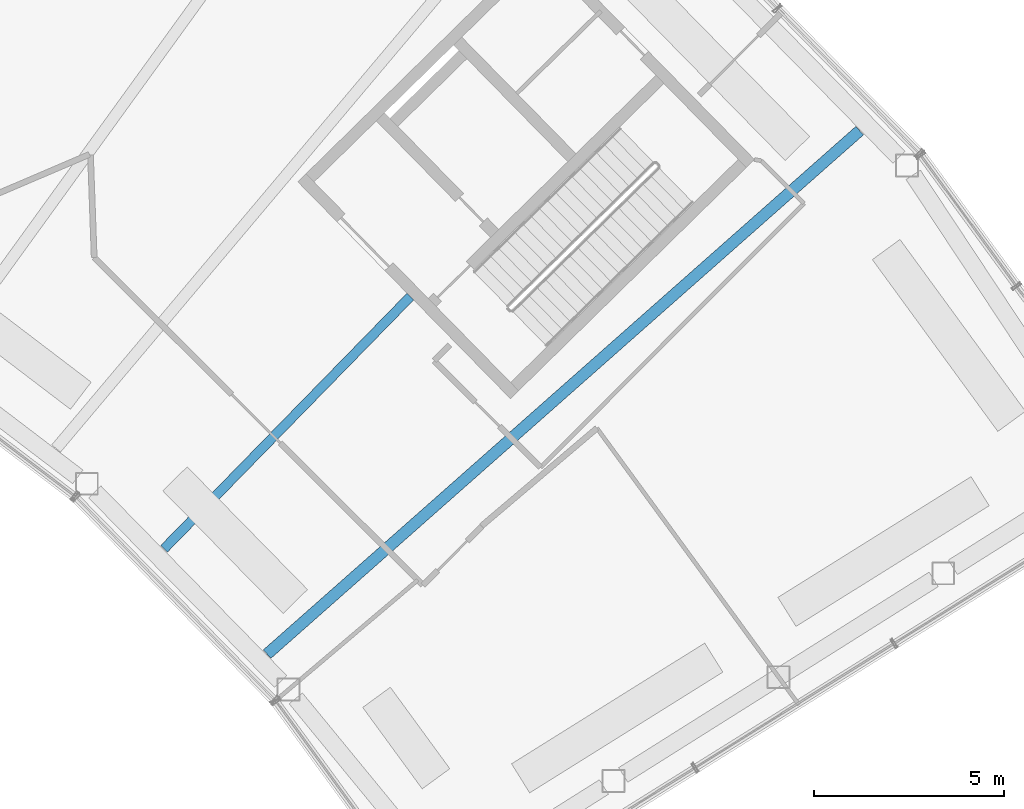
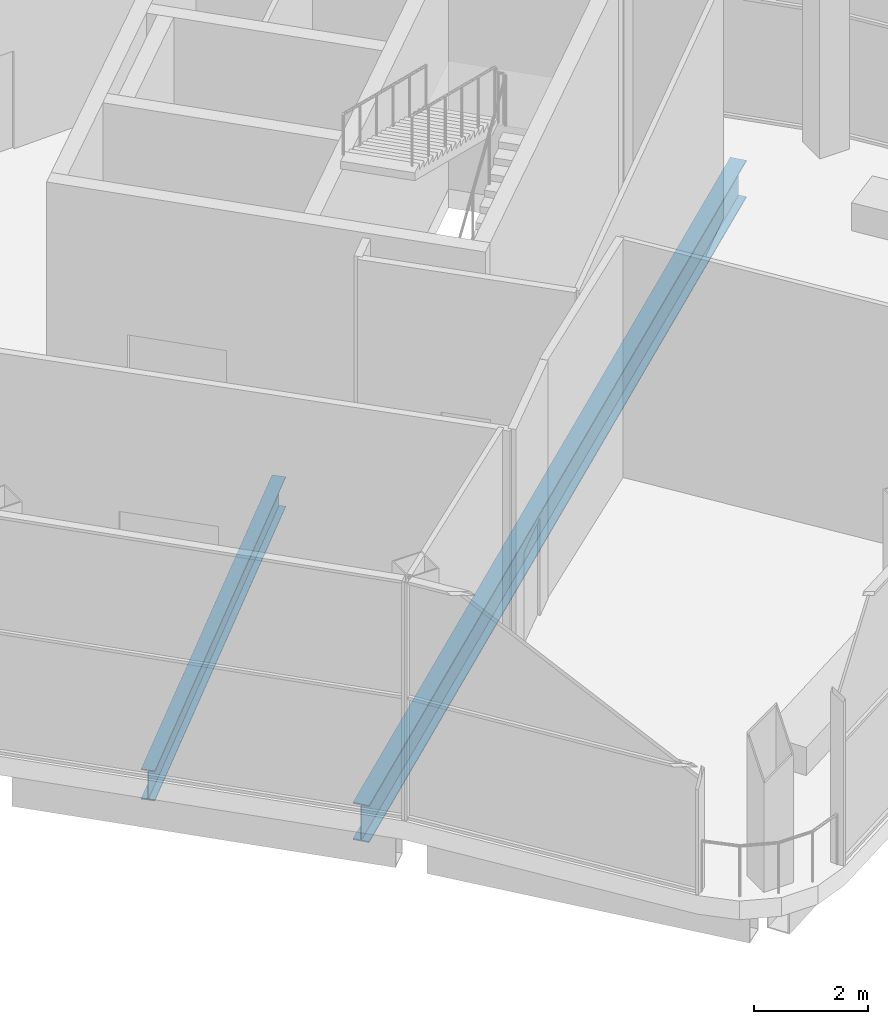
# One storey, part 23 of 43: 2 beams.
"""IFC4 building model written with IfcOpenShell, lengths in metres."""

from ifc_helpers import new_model, si_unit, direction, frame, origin, origin_2d, place, context, subcontext, project, spatial, i_section, extrude, material, material_profile, profile_set, type_object, element, save


model = new_model("IFC4")

# Units and contexts
model_context = context("Model", 3, precision=1e-05, world=origin(), true_north=direction((0.0, 1.0)))
body_context = subcontext(model_context, "Body", "Model", "MODEL_VIEW")
ifc_project = project(units=[si_unit("LENGTHUNIT", "METRE"), si_unit("AREAUNIT", "SQUARE_METRE"), si_unit("VOLUMEUNIT", "CUBIC_METRE"), si_unit("PLANEANGLEUNIT", "RADIAN"), si_unit("MASSUNIT", "GRAM", prefix="KILO")], contexts=[model_context])

# Site, building, storey
site_placement = place(None, origin())
site = spatial("IfcSite", under=ifc_project, at=site_placement, CompositionType="ELEMENT")
building_placement = place(site_placement, origin())
building = spatial("IfcBuilding", under=site, at=building_placement, Name="Tuul Gate Civic Tower", CompositionType="ELEMENT")
storey_placement = place(building_placement, frame((0.0, 0.0, 349.10009765625)))
storey = spatial("IfcBuildingStorey", under=building, at=storey_placement, Name="Observation level 1", CompositionType="ELEMENT", Elevation=349.10009765625)

# Beams
ifc_material_1 = material(Name="Steel S355", Category="steel")
ifc_material_profile_1 = material_profile(ifc_material_1, i_section(OverallWidth=0.25, OverallDepth=0.64990234375, WebThickness=0.011962890625, FlangeThickness=0.02001953125, at=origin_2d()), Name="PG650x250x12x20")
ifc_profile_set_1 = profile_set([ifc_material_profile_1], Name="Steel S355")
beam_type_1 = type_object("IfcBeamType", Name="STR-FLOOR BEAM-PG650x250x12x20", PredefinedType="BEAM", material=ifc_profile_set_1)
beam_1_placement = place(storey_placement, frame((38.990234375, -22.390380859375, -0.72509765625), z_axis=(0.698674470128, 0.715439714296, 0.0), x_axis=(-0.715439714296, 0.698674470128, 0.0)))
element("IfcBeam", 1, at=beam_1_placement, inside=storey, type_object=beam_type_1, Name="Floor beam", PredefinedType="BEAM", context=body_context, shape_type="SweptSolid", body=[
    extrude(i_section(OverallWidth=0.25, OverallDepth=0.64990234375, WebThickness=0.011962890625, FlangeThickness=0.02001953125, at=origin_2d()), origin(), (0.0, 0.0, 1.0), 9.290771484375),
])
ifc_material_2 = material(Name="Steel S355", Category="steel")
ifc_material_profile_2 = material_profile(ifc_material_2, i_section(OverallWidth=0.300048828125, OverallDepth=0.800048828125, WebThickness=0.013916015625, FlangeThickness=0.02490234375, at=origin_2d()), Name="PG800x300x14x25")
ifc_profile_set_2 = profile_set([ifc_material_profile_2], Name="Steel S355")
beam_type_2 = type_object("IfcBeamType", Name="STR-FLOOR BEAM-PG800x300x14x25", PredefinedType="BEAM", material=ifc_profile_set_2)
beam_2_placement = place(storey_placement, frame((41.707275390625, -25.16259765625, -0.800048828125), z_axis=(0.749453243269, 0.662057275584, 0.0), x_axis=(-0.662057275584, 0.749453243269, 0.0)))
element("IfcBeam", 2, at=beam_2_placement, inside=storey, type_object=beam_type_2, Name="Floor beam", PredefinedType="BEAM", context=body_context, shape_type="SweptSolid", body=[
    extrude(i_section(OverallWidth=0.300048828125, OverallDepth=0.800048828125, WebThickness=0.013916015625, FlangeThickness=0.02490234375, at=origin_2d()), origin(), (0.0, 0.0, 1.0), 20.828369140625),
])

save(model, "model.ifc")
